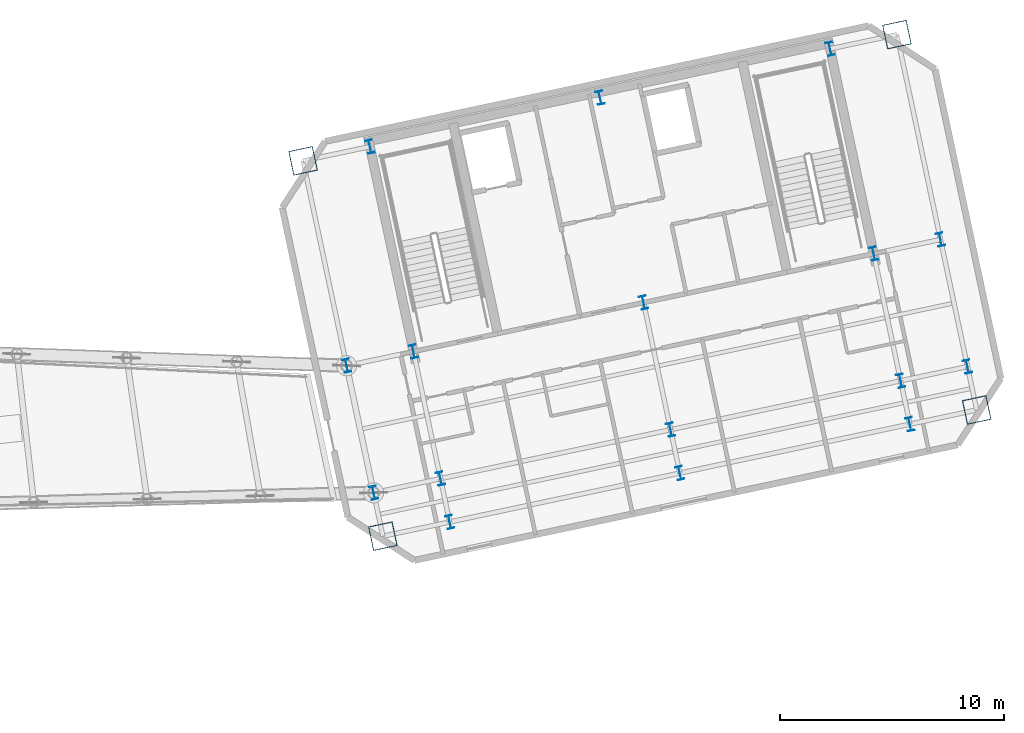
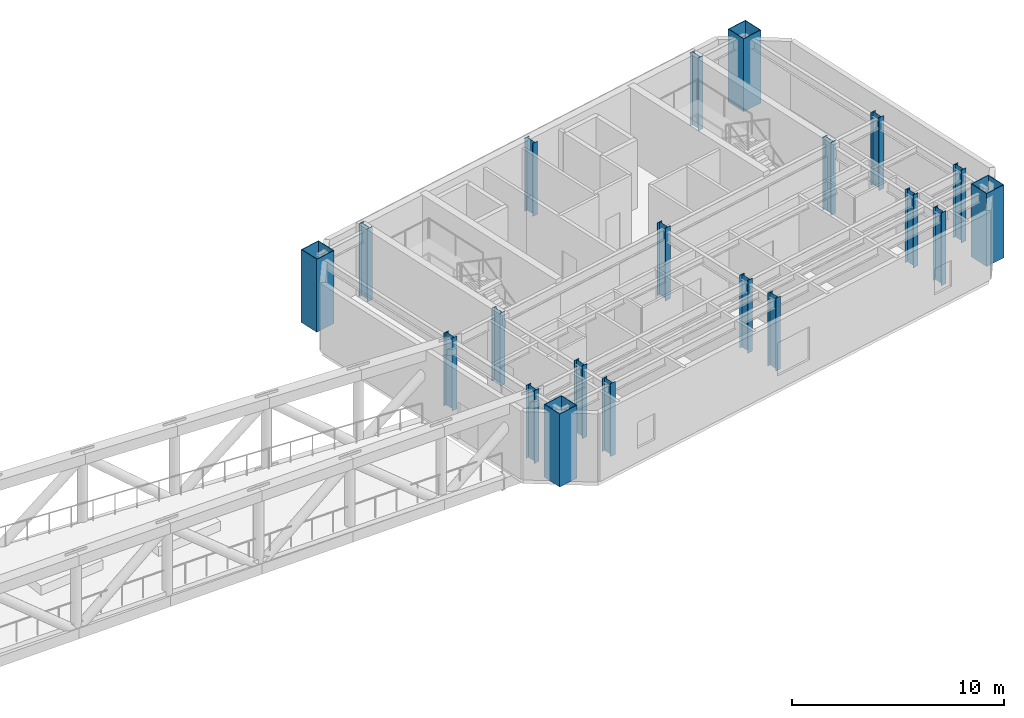
# One storey, part 2 of 14: 20 columns.
"""IFC4 building model written with IfcOpenShell, lengths in metres."""

from ifc_helpers import new_model, si_unit, direction, frame, origin, origin_2d, place, context, subcontext, project, spatial, hollow_rectangle, i_section, extrude, material, material_profile, profile_set, type_object, element, save


model = new_model("IFC4")

# Units and contexts
model_context = context("Model", 3, precision=1e-05, world=origin(), true_north=direction((0.0, 1.0)))
body_context = subcontext(model_context, "Body", "Model", "MODEL_VIEW")
ifc_project = project(units=[si_unit("LENGTHUNIT", "METRE"), si_unit("AREAUNIT", "SQUARE_METRE"), si_unit("VOLUMEUNIT", "CUBIC_METRE"), si_unit("PLANEANGLEUNIT", "RADIAN"), si_unit("MASSUNIT", "GRAM", prefix="KILO")], contexts=[model_context])

# Site, building, storey
site_placement = place(None, origin())
site = spatial("IfcSite", under=ifc_project, at=site_placement, CompositionType="ELEMENT")
building_placement = place(site_placement, origin())
building = spatial("IfcBuilding", under=site, at=building_placement, Name="Haevon Station Towers", CompositionType="ELEMENT")
storey_placement = place(building_placement, frame((0.0, 0.0, 201.300048828125)))
storey = spatial("IfcBuildingStorey", under=building, at=storey_placement, Name="L55", CompositionType="ELEMENT", Elevation=201.300048828125)

# Columns
ifc_material_1 = material(Name="Steel S460", Category="steel")
ifc_material_profile_1 = material_profile(ifc_material_1, hollow_rectangle(XDim=1.10009765625, YDim=1.10009765625, WallThickness=0.031982421875, at=origin_2d()), Name="BOX-1100x1100x32")
ifc_profile_set_1 = profile_set([ifc_material_profile_1], Name="Steel S460")
column_type_1 = type_object("IfcColumnType", Name="COL-MC5", PredefinedType="COLUMN", material=ifc_profile_set_1)
for number, where, z_axis, x_axis, name in (
    (1, (97.386474609375, 29.1982421875, 0.0), (0.0, 0.0, 1.0), (0.978147600734, 0.207911690818, 0.0), "COL-T2-L55-01-01"),
    (2, (93.824951171875, 45.953857421875, 0.0), (0.0, 0.0, 1.0), (0.978147600734, 0.207911690818, 0.0), "COL-T2-L55-01-04"),
    (3, (123.894287109375, 34.832763671875, 0.0), (0.0, 0.0, 1.0), (0.978147600734, 0.207911690818, 0.0), "COL-T2-L55-05-01"),
    (4, (120.332763671875, 51.58837890625, 0.0), (0.0, 0.0, 1.0), (0.978147600734, 0.207911690818, 0.0), "COL-T2-L55-05-04"),
):
    element("IfcColumn", number, at=place(storey_placement, frame(where, z_axis=z_axis, x_axis=x_axis)), inside=storey, type_object=column_type_1, Name=name, PredefinedType="COLUMN", context=body_context, shape_type="SweptSolid", body=[
        extrude(hollow_rectangle(XDim=1.10009765625, YDim=1.10009765625, WallThickness=0.031982421875, at=origin_2d()), origin(), (0.0, 0.0, 1.0), 4.199951171875),
    ])
ifc_material_2 = material(Name="Steel S355", Category="steel")
ifc_material_profile_2 = material_profile(ifc_material_2, i_section(OverallWidth=0.300048828125, OverallDepth=0.60009765625, WebThickness=0.013916015625, FlangeThickness=0.02490234375, at=origin_2d()), Name="H-600x300x14x25")
ifc_profile_set_2 = profile_set([ifc_material_profile_2], Name="Steel S355")
column_type_2 = type_object("IfcColumnType", Name="COL-TW4", PredefinedType="COLUMN", material=ifc_profile_set_2)
for number, where, z_axis, x_axis, name in (
    (5, (96.974853515625, 31.135009765625, 0.0), (0.0, 0.0, 1.0), (0.978147600734, 0.207911690818, 0.0), "COL-T2-L55-01-02"),
    (6, (95.76904296875, 36.808349609375, 0.0), (0.0, 0.0, 1.0), (0.978147600734, 0.207911690818, 0.0), "COL-T2-L55-01-03"),
    (7, (100.369873046875, 29.83251953125, 0.0), (0.0, 0.0, 1.0), (0.978147600734, 0.207911690818, 0.0), "COL-T2-L55-02-01"),
    (8, (99.958251953125, 31.76904296875, 0.0), (0.0, 0.0, 1.0), (0.978147600734, 0.207911690818, 0.0), "COL-T2-L55-02-02"),
    (9, (98.75244140625, 37.4423828125, 0.0), (0.0, 0.0, 1.0), (0.978147600734, 0.207911690818, 0.0), "COL-T2-L55-02-03"),
    (10, (96.808349609375, 46.588134765625, 0.0), (0.0, 0.0, 1.0), (0.978147600734, 0.207911690818, 0.0), "COL-T2-L55-02-04"),
    (11, (110.640380859375, 32.015380859375, 0.0), (0.0, 0.0, 1.0), (0.978147600734, 0.207911690818, 0.0), "COL-T2-L55-03-01"),
    (12, (110.228759765625, 33.9521484375, 0.0), (0.0, 0.0, 1.0), (0.978147600734, 0.207911690818, 0.0), "COL-T2-L55-03-02"),
    (13, (109.02294921875, 39.62548828125, 0.0), (0.0, 0.0, 1.0), (0.978147600734, 0.207911690818, 0.0), "COL-T2-L55-03-03"),
    (14, (107.078857421875, 48.771240234375, 0.0), (0.0, 0.0, 1.0), (0.978147600734, 0.207911690818, 0.0), "COL-T2-L55-03-04"),
    (15, (120.910888671875, 34.198486328125, 0.0), (0.0, 0.0, 1.0), (0.978147600734, 0.207911690818, 0.0), "COL-T2-L55-04-01"),
    (16, (120.499267578125, 36.13525390625, 0.0), (0.0, 0.0, 1.0), (0.978147600734, 0.207911690818, 0.0), "COL-T2-L55-04-02"),
    (17, (119.29345703125, 41.80859375, 0.0), (0.0, 0.0, 1.0), (0.978147600734, 0.207911690818, 0.0), "COL-T2-L55-04-03"),
    (18, (117.349365234375, 50.954345703125, 0.0), (0.0, 0.0, 1.0), (0.978147600734, 0.207911690818, 0.0), "COL-T2-L55-04-04"),
    (19, (123.482666015625, 36.76953125, 0.0), (0.0, 0.0, 1.0), (0.978147600734, 0.207911690818, 0.0), "COL-T2-L55-05-02"),
    (20, (122.27685546875, 42.442626953125, 0.0), (0.0, 0.0, 1.0), (0.978147600734, 0.207911690818, 0.0), "COL-T2-L55-05-03"),
):
    element("IfcColumn", number, at=place(storey_placement, frame(where, z_axis=z_axis, x_axis=x_axis)), inside=storey, type_object=column_type_2, Name=name, PredefinedType="COLUMN", context=body_context, shape_type="SweptSolid", body=[
        extrude(i_section(OverallWidth=0.300048828125, OverallDepth=0.60009765625, WebThickness=0.013916015625, FlangeThickness=0.02490234375, at=origin_2d()), origin(), (0.0, 0.0, 1.0), 4.199951171875),
    ])

save(model, "model.ifc")
